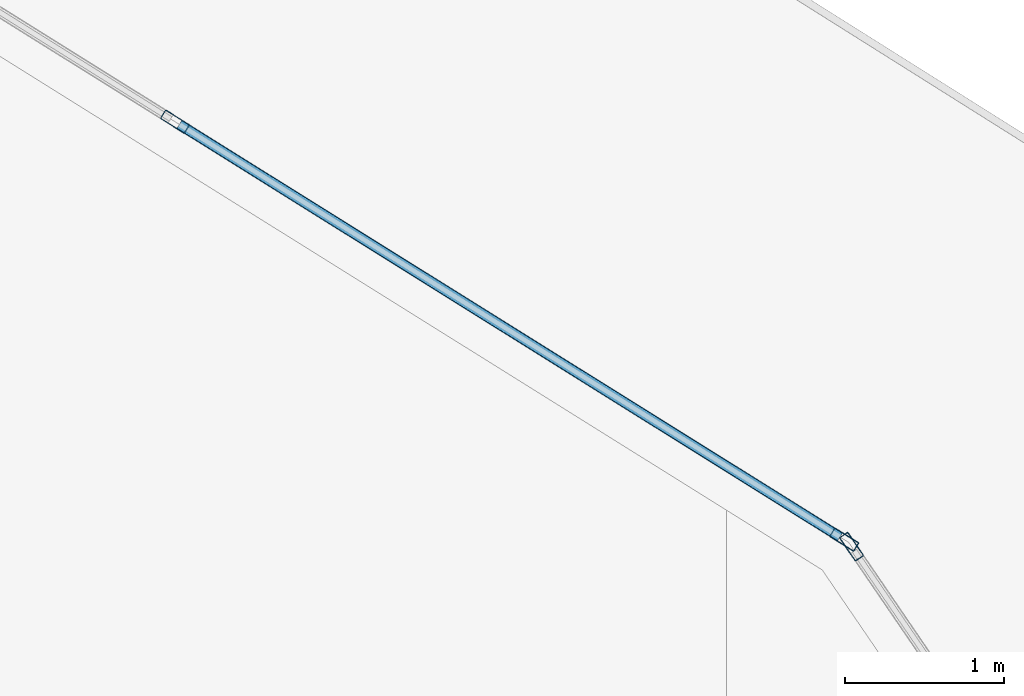
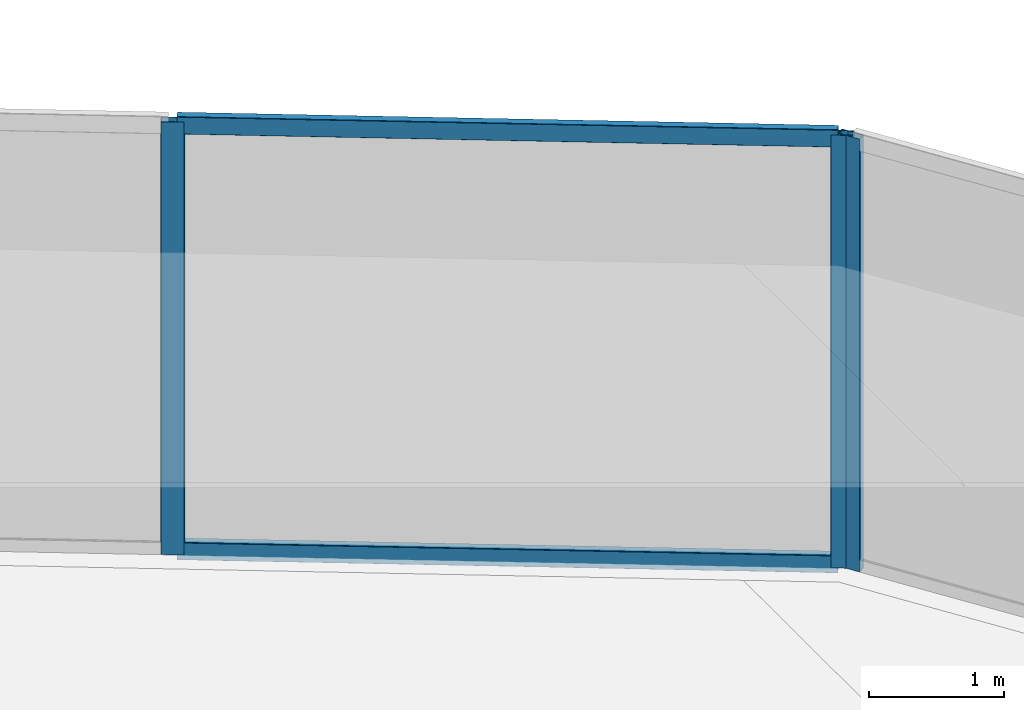
# One storey, part 22 of 44: 5 members, 2 elements without a shape of their own.
"""IFC4 building model written with IfcOpenShell, lengths in metres."""

from ifc_helpers import new_model, si_unit, direction, frame, origin, origin_2d, place, context, subcontext, project, spatial, hollow_rectangle, extrude, material, layer, layer_set, material_profile, profile_set, type_object, element, aggregate, save


model = new_model("IFC4")

# Units and contexts
model_context = context("Model", 3, precision=1e-05, world=origin(), true_north=direction((0.0, 1.0)))
body_context = subcontext(model_context, "Body", "Model", "MODEL_VIEW")
ifc_project = project(units=[si_unit("LENGTHUNIT", "METRE"), si_unit("AREAUNIT", "SQUARE_METRE"), si_unit("VOLUMEUNIT", "CUBIC_METRE"), si_unit("PLANEANGLEUNIT", "RADIAN"), si_unit("MASSUNIT", "GRAM", prefix="KILO")], contexts=[model_context])

# Site, building, storey
site_placement = place(None, origin())
site = spatial("IfcSite", under=ifc_project, at=site_placement, CompositionType="ELEMENT")
building_placement = place(site_placement, origin())
building = spatial("IfcBuilding", under=site, at=building_placement, Name="Qorvath Tower", CompositionType="ELEMENT")
storey_placement = place(building_placement, frame((0.0, 0.0, 45.0)))
storey = spatial("IfcBuildingStorey", under=building, at=storey_placement, Name="L09", CompositionType="ELEMENT", Elevation=45.0)

# Curtain wall, member
ifc_material_1 = material(Name="Anodised aluminium and triple low-E glass", Category="aluminium")
ifc_layer = layer(ifc_material_1, 0.179931640625)
ifc_layer_set = layer_set([ifc_layer], Name="CW-SYS-2")
curtain_wall_type = type_object("IfcCurtainWallType", Name="CW-SYS-2", PredefinedType="NOTDEFINED", material=ifc_layer_set)
curtain_wall_1_placement = place(storey_placement, origin())
curtain_wall_1 = element("IfcCurtainWall", 1, at=curtain_wall_1_placement, inside=storey, type_object=curtain_wall_type, Name="Curtain Wall CW-2 CW-T-L09-13.1", PredefinedType="NOTDEFINED")
ifc_material_2 = material(Name="Anodised aluminium 6063-T6", Category="aluminium")
ifc_material_profile_1 = material_profile(ifc_material_2, hollow_rectangle(XDim=0.06494140625, YDim=0.179931640625, WallThickness=0.00341796875, InnerFilletRadius=0.00341796875, OuterFilletRadius=0.007080078125, at=origin_2d()), Name="CWM 180x65")
ifc_profile_set_1 = profile_set([ifc_material_profile_1], Name="Anodised aluminium 6063-T6")
member_type_1 = type_object("IfcMemberType", Name="CWM-180", PredefinedType="MULLION", material=ifc_profile_set_1)
member_1_placement = place(storey_placement, frame((-1.5859375, 25.69384765625, 0.0), z_axis=(0.0, 0.0, 1.0), x_axis=(-0.825849008834, -0.563891314535, 0.0)))
member_1 = element("IfcMember", 2, at=member_1_placement, type_object=member_type_1, Name="CW-2 mullion 2", PredefinedType="MULLION", context=body_context, shape_type="SweptSolid", body=[
    extrude(hollow_rectangle(XDim=0.06494140625, YDim=0.179931640625, WallThickness=0.00341796875, InnerFilletRadius=0.00341796875, OuterFilletRadius=0.007080078125, at=origin_2d()), origin(), (0.0, 0.0, 1.0), 3.919921875),
])
aggregate(curtain_wall_1, [member_1])

# Curtain wall, members
curtain_wall_2_placement = place(storey_placement, origin())
curtain_wall_2 = element("IfcCurtainWall", 3, at=curtain_wall_2_placement, inside=storey, type_object=curtain_wall_type, Name="Curtain Wall CW-2 CW-T-L09-14.1", PredefinedType="NOTDEFINED")
member_2_placement = place(storey_placement, frame((-1.6318359375, 25.738037109375, 0.0), z_axis=(0.0, 0.0, 1.0), x_axis=(-0.529724040691, -0.848170054125, 0.0)))
member_2 = element("IfcMember", 4, at=member_2_placement, type_object=member_type_1, Name="CW-2 mullion 1", PredefinedType="MULLION", context=body_context, shape_type="SweptSolid", body=[
    extrude(hollow_rectangle(XDim=0.06494140625, YDim=0.179931640625, WallThickness=0.00341796875, InnerFilletRadius=0.00341796875, OuterFilletRadius=0.007080078125, at=origin_2d()), origin(), (0.0, 0.0, 1.0), 3.919921875),
])
member_3_placement = place(storey_placement, frame((-5.847900390625, 28.37109375, 0.0), z_axis=(0.0, 0.0, 1.0), x_axis=(-0.529724040691, -0.848170054125, 0.0)))
member_3 = element("IfcMember", 5, at=member_3_placement, type_object=member_type_1, Name="CW-2 mullion 2", PredefinedType="MULLION", context=body_context, shape_type="SweptSolid", body=[
    extrude(hollow_rectangle(XDim=0.06494140625, YDim=0.179931640625, WallThickness=0.00341796875, InnerFilletRadius=0.00341796875, OuterFilletRadius=0.007080078125, at=origin_2d()), origin(), (0.0, 0.0, 1.0), 3.919921875),
])
ifc_material_3 = material(Name="Anodised aluminium 6063-T6", Category="aluminium")
ifc_material_profile_2 = material_profile(ifc_material_3, hollow_rectangle(XDim=0.06494140625, YDim=0.159912109375, WallThickness=0.00341796875, InnerFilletRadius=0.00341796875, OuterFilletRadius=0.007080078125, at=origin_2d()), Name="CWT 160x65")
ifc_profile_set_2 = profile_set([ifc_material_profile_2], Name="Anodised aluminium 6063-T6")
member_type_2 = type_object("IfcMemberType", Name="CWT-160", PredefinedType="USERDEFINED", material=ifc_profile_set_2)
member_4_placement = place(storey_placement, frame((-1.659423828125, 25.755126953125, 0.032470703125), z_axis=(-0.848152037868, 0.529752886411, 0.0), x_axis=(-0.529752886411, -0.848152037868, 0.0)))
member_4 = element("IfcMember", 6, at=member_4_placement, type_object=member_type_2, Name="CW-2 transom 1.1", ObjectType="TRANSOM", PredefinedType="USERDEFINED", context=body_context, shape_type="SweptSolid", body=[
    extrude(hollow_rectangle(XDim=0.06494140625, YDim=0.159912109375, WallThickness=0.00341796875, InnerFilletRadius=0.00341796875, OuterFilletRadius=0.007080078125, at=origin_2d()), origin(), (0.0, 0.0, 1.0), 4.90576171875),
])
member_5_placement = place(storey_placement, frame((-1.659423828125, 25.755126953125, 3.887451171875), z_axis=(-0.848152037868, 0.529752886411, 0.0), x_axis=(-0.529752886411, -0.848152037868, 0.0)))
member_5 = element("IfcMember", 7, at=member_5_placement, type_object=member_type_2, Name="CW-2 transom 1.2", ObjectType="TRANSOM", PredefinedType="USERDEFINED", context=body_context, shape_type="SweptSolid", body=[
    extrude(hollow_rectangle(XDim=0.06494140625, YDim=0.159912109375, WallThickness=0.00341796875, InnerFilletRadius=0.00341796875, OuterFilletRadius=0.007080078125, at=origin_2d()), origin(), (0.0, 0.0, 1.0), 4.90576171875),
])
aggregate(curtain_wall_2, [member_2, member_3, member_4, member_5])

save(model, "model.ifc")
